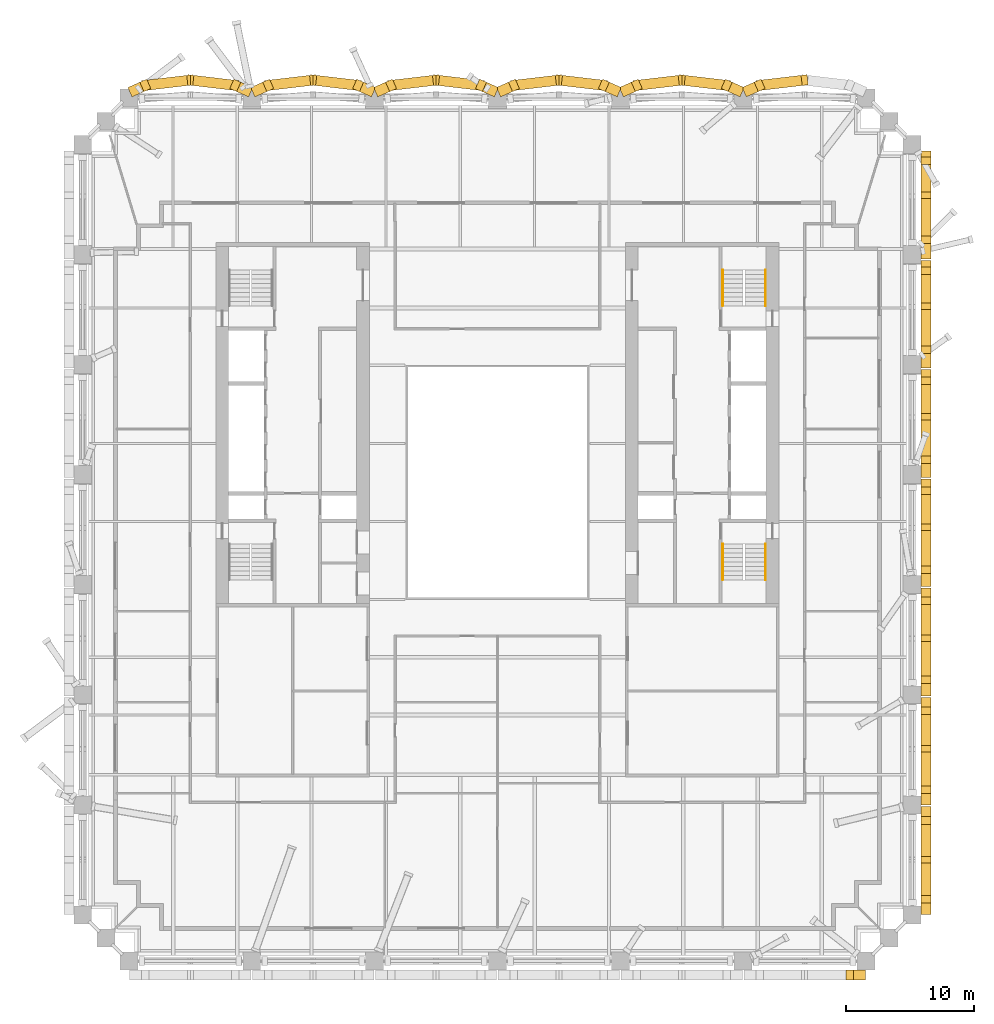
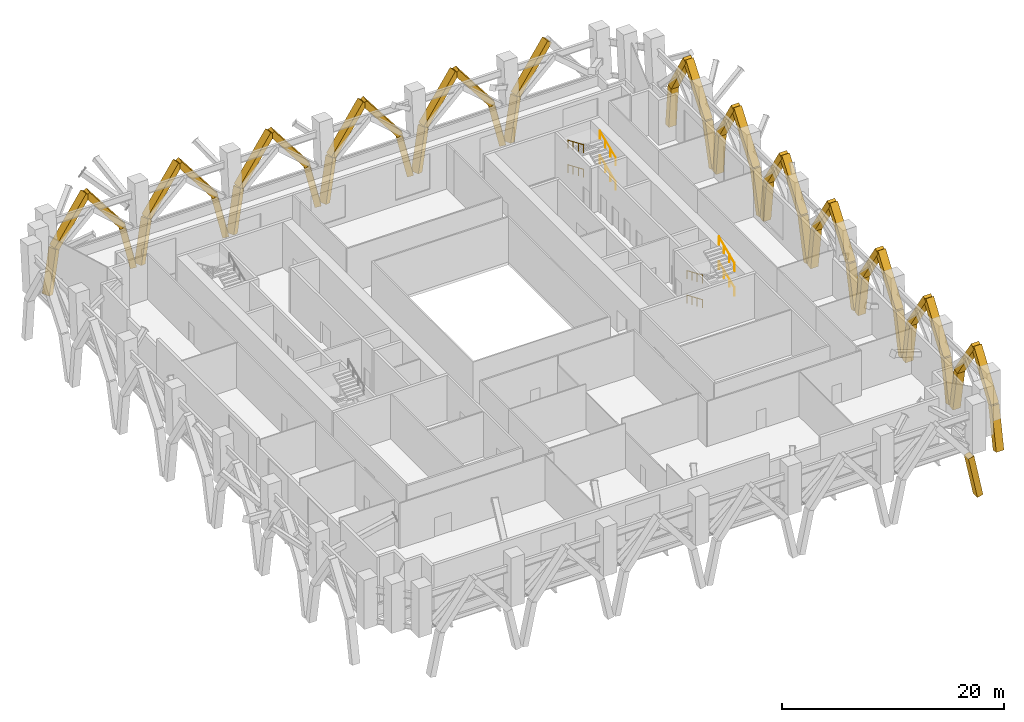
# One storey, part 18 of 19: 51 coverings, 8 railings.
"""IFC4 building model written with IfcOpenShell, lengths in metres."""

from ifc_helpers import new_model, si_unit, direction, frame, origin, origin_2d, place, context, subcontext, project, spatial, rectangle, circle, extrude, material, material_profile, profile_set, type_object, element, save


model = new_model("IFC4")

# Units and contexts
model_context = context("Model", 3, precision=1e-05, world=origin(), true_north=direction((0.0, 1.0)))
body_context = subcontext(model_context, "Body", "Model", "MODEL_VIEW")
ifc_project = project(units=[si_unit("LENGTHUNIT", "METRE"), si_unit("AREAUNIT", "SQUARE_METRE"), si_unit("VOLUMEUNIT", "CUBIC_METRE"), si_unit("PLANEANGLEUNIT", "RADIAN"), si_unit("MASSUNIT", "GRAM", prefix="KILO")], contexts=[model_context])

# Site, building, storey
site_placement = place(None, origin())
site = spatial("IfcSite", under=ifc_project, at=site_placement, CompositionType="ELEMENT")
building_placement = place(site_placement, origin())
building = spatial("IfcBuilding", under=site, at=building_placement, Name="Ogive Exchange Tower", CompositionType="ELEMENT")
storey_placement = place(building_placement, frame((0.0, 0.0, 94.199951171875)))
storey = spatial("IfcBuildingStorey", under=building, at=storey_placement, Name="L20", CompositionType="ELEMENT", Elevation=94.199951171875)

# Coverings
ifc_material_1 = material(Name="Precast concrete C50/60", Category="concrete")
ifc_material_profile = material_profile(ifc_material_1, rectangle(XDim=0.800048828125, YDim=0.60009765625, at=origin_2d()), Name="RIB 800 x 600")
ifc_profile_set = profile_set([ifc_material_profile], Name="Precast concrete C50/60")
covering_type = type_object("IfcCoveringType", Name="Precast tracery rib 800 x 600 C50/60", PredefinedType="CLADDING", material=ifc_profile_set)
covering_1_placement = place(storey_placement, frame((28.449951171875, -31.47998046875, -4.199951171875), z_axis=(-0.201500178347, 0.0, 0.979488477791), x_axis=(0.0, -1.0, 0.0)))
element("IfcCovering", 1, at=covering_1_placement, inside=storey, type_object=covering_type, Name="Tracery rib 6b", PredefinedType="CLADDING", context=body_context, shape_type="SweptSolid", body=[
    extrude(rectangle(XDim=0.800048828125, YDim=0.60009765625, at=origin_2d()), origin(), (0.0, 0.0, 1.0), 4.645263671875),
])
covering_2_placement = place(storey_placement, frame((33.47998046875, -26.449951171875, -4.199951171875), z_axis=(0.0, 0.186150274042, 0.982521284998), x_axis=(-1.0, 0.0, 0.0)))
element("IfcCovering", 2, at=covering_2_placement, inside=storey, type_object=covering_type, Name="Tracery rib 9a", PredefinedType="CLADDING", context=body_context, shape_type="SweptSolid", body=[
    extrude(rectangle(XDim=0.800048828125, YDim=0.60009765625, at=origin_2d()), origin(), (0.0, 0.0, 1.0), 4.631103515625),
])
covering_3_placement = place(storey_placement, frame((33.47998046875, -25.587890625, 0.35009765625), z_axis=(0.0, 0.564634699666, 0.82534093315), x_axis=(-1.0, 0.0, 0.0)))
element("IfcCovering", 3, at=covering_3_placement, inside=storey, type_object=covering_type, Name="Tracery rib 9a", PredefinedType="CLADDING", context=body_context, shape_type="SweptSolid", body=[
    extrude(rectangle(XDim=0.800048828125, YDim=0.60009765625, at=origin_2d()), origin(), (0.0, 0.0, 1.0), 5.512939453125),
])
covering_4_placement = place(storey_placement, frame((33.47998046875, -18.617919921875, -4.199951171875), z_axis=(0.0, -0.173586374449, 0.984818648587), x_axis=(1.0, 0.0, 0.0)))
element("IfcCovering", 4, at=covering_4_placement, inside=storey, type_object=covering_type, Name="Tracery rib 9b", PredefinedType="CLADDING", context=body_context, shape_type="SweptSolid", body=[
    extrude(rectangle(XDim=0.800048828125, YDim=0.60009765625, at=origin_2d()), origin(), (0.0, 0.0, 1.0), 4.6201171875),
])
covering_5_placement = place(storey_placement, frame((33.47998046875, -19.419921875, 0.35009765625), z_axis=(0.0, -0.557452171693, 0.830209055765), x_axis=(1.0, 0.0, 0.0)))
element("IfcCovering", 5, at=covering_5_placement, inside=storey, type_object=covering_type, Name="Tracery rib 9b", PredefinedType="CLADDING", context=body_context, shape_type="SweptSolid", body=[
    extrude(rectangle(XDim=0.800048828125, YDim=0.60009765625, at=origin_2d()), origin(), (0.0, 0.0, 1.0), 5.480712890625),
])
covering_6_placement = place(storey_placement, frame((33.47998046875, -17.91796875, -4.199951171875), z_axis=(0.0, 0.198370934882, 0.980127018398), x_axis=(-1.0, 0.0, 0.0)))
element("IfcCovering", 6, at=covering_6_placement, inside=storey, type_object=covering_type, Name="Tracery rib 10a", PredefinedType="CLADDING", context=body_context, shape_type="SweptSolid", body=[
    extrude(rectangle(XDim=0.800048828125, YDim=0.60009765625, at=origin_2d()), origin(), (0.0, 0.0, 1.0), 4.642333984375),
])
covering_7_placement = place(storey_placement, frame((33.47998046875, -16.9970703125, 0.35009765625), z_axis=(0.0, 0.572017049821, 0.820241729439), x_axis=(-1.0, 0.0, 0.0)))
element("IfcCovering", 7, at=covering_7_placement, inside=storey, type_object=covering_type, Name="Tracery rib 10a", PredefinedType="CLADDING", context=body_context, shape_type="SweptSolid", body=[
    extrude(rectangle(XDim=0.800048828125, YDim=0.60009765625, at=origin_2d()), origin(), (0.0, 0.0, 1.0), 5.547119140625),
])
covering_8_placement = place(storey_placement, frame((33.47998046875, -10.0849609375, -4.199951171875), z_axis=(0.0, -0.161401363477, 0.986888848791), x_axis=(1.0, 0.0, 0.0)))
element("IfcCovering", 8, at=covering_8_placement, inside=storey, type_object=covering_type, Name="Tracery rib 10b", PredefinedType="CLADDING", context=body_context, shape_type="SweptSolid", body=[
    extrude(rectangle(XDim=0.800048828125, YDim=0.60009765625, at=origin_2d()), origin(), (0.0, 0.0, 1.0), 4.610595703125),
])
covering_9_placement = place(storey_placement, frame((33.47998046875, -10.8291015625, 0.35009765625), z_axis=(0.0, -0.549798408464, 0.835297378214), x_axis=(1.0, 0.0, 0.0)))
element("IfcCovering", 9, at=covering_9_placement, inside=storey, type_object=covering_type, Name="Tracery rib 10b", PredefinedType="CLADDING", context=body_context, shape_type="SweptSolid", body=[
    extrude(rectangle(XDim=0.800048828125, YDim=0.60009765625, at=origin_2d()), origin(), (0.0, 0.0, 1.0), 5.447265625),
])
covering_10_placement = place(storey_placement, frame((33.47998046875, -9.385009765625, -4.199951171875), z_axis=(0.0, 0.210549906291, 0.977583110002), x_axis=(-1.0, 0.0, 0.0)))
element("IfcCovering", 10, at=covering_10_placement, inside=storey, type_object=covering_type, Name="Tracery rib 11a", PredefinedType="CLADDING", context=body_context, shape_type="SweptSolid", body=[
    extrude(rectangle(XDim=0.800048828125, YDim=0.60009765625, at=origin_2d()), origin(), (0.0, 0.0, 1.0), 4.654296875),
])
covering_11_placement = place(storey_placement, frame((33.47998046875, -8.405029296875, 0.35009765625), z_axis=(0.0, 0.579088555147, 0.815264647399), x_axis=(-1.0, 0.0, 0.0)))
element("IfcCovering", 11, at=covering_11_placement, inside=storey, type_object=covering_type, Name="Tracery rib 11a", PredefinedType="CLADDING", context=body_context, shape_type="SweptSolid", body=[
    extrude(rectangle(XDim=0.800048828125, YDim=0.60009765625, at=origin_2d()), origin(), (0.0, 0.0, 1.0), 5.5810546875),
])
covering_12_placement = place(storey_placement, frame((33.47998046875, -1.552978515625, -4.199951171875), z_axis=(0.0, -0.148675152872, 0.988886089961), x_axis=(1.0, 0.0, 0.0)))
element("IfcCovering", 12, at=covering_12_placement, inside=storey, type_object=covering_type, Name="Tracery rib 11b", PredefinedType="CLADDING", context=body_context, shape_type="SweptSolid", body=[
    extrude(rectangle(XDim=0.800048828125, YDim=0.60009765625, at=origin_2d()), origin(), (0.0, 0.0, 1.0), 4.60107421875),
])
covering_13_placement = place(storey_placement, frame((33.47998046875, -2.237060546875, 0.35009765625), z_axis=(0.0, -0.542194644932, 0.840252918476), x_axis=(1.0, 0.0, 0.0)))
element("IfcCovering", 13, at=covering_13_placement, inside=storey, type_object=covering_type, Name="Tracery rib 11b", PredefinedType="CLADDING", context=body_context, shape_type="SweptSolid", body=[
    extrude(rectangle(XDim=0.800048828125, YDim=0.60009765625, at=origin_2d()), origin(), (0.0, 0.0, 1.0), 5.4150390625),
])
covering_14_placement = place(storey_placement, frame((33.47998046875, -0.85302734375, -4.199951171875), z_axis=(0.0, 0.222631627307, 0.974902640535), x_axis=(-1.0, 0.0, 0.0)))
element("IfcCovering", 14, at=covering_14_placement, inside=storey, type_object=covering_type, Name="Tracery rib 12a", PredefinedType="CLADDING", context=body_context, shape_type="SweptSolid", body=[
    extrude(rectangle(XDim=0.800048828125, YDim=0.60009765625, at=origin_2d()), origin(), (0.0, 0.0, 1.0), 4.667236328125),
])
covering_15_placement = place(storey_placement, frame((33.47998046875, 0.18603515625, 0.35009765625), z_axis=(0.0, 0.586060274769, 0.810267458521), x_axis=(-1.0, 0.0, 0.0)))
element("IfcCovering", 15, at=covering_15_placement, inside=storey, type_object=covering_type, Name="Tracery rib 12a", PredefinedType="CLADDING", context=body_context, shape_type="SweptSolid", body=[
    extrude(rectangle(XDim=0.800048828125, YDim=0.60009765625, at=origin_2d()), origin(), (0.0, 0.0, 1.0), 5.615478515625),
])
covering_16_placement = place(storey_placement, frame((33.47998046875, 6.97998046875, -4.199951171875), z_axis=(0.0, -0.136083346246, 0.990697392181), x_axis=(1.0, 0.0, 0.0)))
element("IfcCovering", 16, at=covering_16_placement, inside=storey, type_object=covering_type, Name="Tracery rib 12b", PredefinedType="CLADDING", context=body_context, shape_type="SweptSolid", body=[
    extrude(rectangle(XDim=0.800048828125, YDim=0.60009765625, at=origin_2d()), origin(), (0.0, 0.0, 1.0), 4.5927734375),
])
covering_17_placement = place(storey_placement, frame((33.47998046875, 6.35498046875, 0.35009765625), z_axis=(0.0, -0.534552485486, 0.845135279267), x_axis=(1.0, 0.0, 0.0)))
element("IfcCovering", 17, at=covering_17_placement, inside=storey, type_object=covering_type, Name="Tracery rib 12b", PredefinedType="CLADDING", context=body_context, shape_type="SweptSolid", body=[
    extrude(rectangle(XDim=0.800048828125, YDim=0.60009765625, at=origin_2d()), origin(), (0.0, 0.0, 1.0), 5.3837890625),
])
covering_18_placement = place(storey_placement, frame((33.47998046875, 7.679931640625, -4.199951171875), z_axis=(0.0, 0.234611640374, 0.972089182226), x_axis=(-1.0, 0.0, 0.0)))
element("IfcCovering", 18, at=covering_18_placement, inside=storey, type_object=covering_type, Name="Tracery rib 13a", PredefinedType="CLADDING", context=body_context, shape_type="SweptSolid", body=[
    extrude(rectangle(XDim=0.800048828125, YDim=0.60009765625, at=origin_2d()), origin(), (0.0, 0.0, 1.0), 4.6806640625),
])
covering_19_placement = place(storey_placement, frame((33.47998046875, 8.778076171875, 0.35009765625), z_axis=(0.0, 0.592876199846, 0.805293618288), x_axis=(-1.0, 0.0, 0.0)))
element("IfcCovering", 19, at=covering_19_placement, inside=storey, type_object=covering_type, Name="Tracery rib 13a", PredefinedType="CLADDING", context=body_context, shape_type="SweptSolid", body=[
    extrude(rectangle(XDim=0.800048828125, YDim=0.60009765625, at=origin_2d()), origin(), (0.0, 0.0, 1.0), 5.650146484375),
])
covering_20_placement = place(storey_placement, frame((33.47998046875, 15.511962890625, -4.199951171875), z_axis=(0.0, -0.123425244267, 0.992353872909), x_axis=(1.0, 0.0, 0.0)))
element("IfcCovering", 20, at=covering_20_placement, inside=storey, type_object=covering_type, Name="Tracery rib 13b", PredefinedType="CLADDING", context=body_context, shape_type="SweptSolid", body=[
    extrude(rectangle(XDim=0.800048828125, YDim=0.60009765625, at=origin_2d()), origin(), (0.0, 0.0, 1.0), 4.585205078125),
])
covering_21_placement = place(storey_placement, frame((33.47998046875, 14.946044921875, 0.35009765625), z_axis=(0.0, -0.526546188709, 0.850146523345), x_axis=(1.0, 0.0, 0.0)))
element("IfcCovering", 21, at=covering_21_placement, inside=storey, type_object=covering_type, Name="Tracery rib 13b", PredefinedType="CLADDING", context=body_context, shape_type="SweptSolid", body=[
    extrude(rectangle(XDim=0.800048828125, YDim=0.60009765625, at=origin_2d()), origin(), (0.0, 0.0, 1.0), 5.35205078125),
])
covering_22_placement = place(storey_placement, frame((33.47998046875, 16.2119140625, -4.199951171875), z_axis=(0.0, 0.246436861221, 0.9691588484), x_axis=(-1.0, 0.0, 0.0)))
element("IfcCovering", 22, at=covering_22_placement, inside=storey, type_object=covering_type, Name="Tracery rib 14a", PredefinedType="CLADDING", context=body_context, shape_type="SweptSolid", body=[
    extrude(rectangle(XDim=0.800048828125, YDim=0.60009765625, at=origin_2d()), origin(), (0.0, 0.0, 1.0), 4.69482421875),
])
covering_23_placement = place(storey_placement, frame((33.47998046875, 17.368896484375, 0.35009765625), z_axis=(0.0, 0.59973204482, 0.800200896285), x_axis=(-1.0, 0.0, 0.0)))
element("IfcCovering", 23, at=covering_23_placement, inside=storey, type_object=covering_type, Name="Tracery rib 14a", PredefinedType="CLADDING", context=body_context, shape_type="SweptSolid", body=[
    extrude(rectangle(XDim=0.800048828125, YDim=0.60009765625, at=origin_2d()), origin(), (0.0, 0.0, 1.0), 5.68603515625),
])
covering_24_placement = place(storey_placement, frame((33.47998046875, 24.044921875, -4.199951171875), z_axis=(0.0, -0.110706610525, 0.993853131195), x_axis=(1.0, 0.0, 0.0)))
element("IfcCovering", 24, at=covering_24_placement, inside=storey, type_object=covering_type, Name="Tracery rib 14b", PredefinedType="CLADDING", context=body_context, shape_type="SweptSolid", body=[
    extrude(rectangle(XDim=0.800048828125, YDim=0.60009765625, at=origin_2d()), origin(), (0.0, 0.0, 1.0), 4.578125),
])
covering_25_placement = place(storey_placement, frame((33.47998046875, 23.5380859375, 0.35009765625), z_axis=(0.0, -0.518497951116, 0.855078870449), x_axis=(1.0, 0.0, 0.0)))
element("IfcCovering", 25, at=covering_25_placement, inside=storey, type_object=covering_type, Name="Tracery rib 14b", PredefinedType="CLADDING", context=body_context, shape_type="SweptSolid", body=[
    extrude(rectangle(XDim=0.800048828125, YDim=0.60009765625, at=origin_2d()), origin(), (0.0, 0.0, 1.0), 5.3212890625),
])
covering_26_placement = place(storey_placement, frame((33.47998046875, 24.7451171875, -4.199951171875), z_axis=(0.0, 0.258153034575, 0.966104037224), x_axis=(-1.0, 0.0, 0.0)))
element("IfcCovering", 26, at=covering_26_placement, inside=storey, type_object=covering_type, Name="Tracery rib 15a", PredefinedType="CLADDING", context=body_context, shape_type="SweptSolid", body=[
    extrude(rectangle(XDim=0.800048828125, YDim=0.60009765625, at=origin_2d()), origin(), (0.0, 0.0, 1.0), 4.709716796875),
])
covering_27_placement = place(storey_placement, frame((33.47998046875, 25.9609375, 0.35009765625), z_axis=(0.0, 0.60618849371, 0.79532101072), x_axis=(-1.0, 0.0, 0.0)))
element("IfcCovering", 27, at=covering_27_placement, inside=storey, type_object=covering_type, Name="Tracery rib 15a", PredefinedType="CLADDING", context=body_context, shape_type="SweptSolid", body=[
    extrude(rectangle(XDim=0.800048828125, YDim=0.60009765625, at=origin_2d()), origin(), (0.0, 0.0, 1.0), 5.720947265625),
])
covering_28_placement = place(storey_placement, frame((33.47998046875, 32.576904296875, -4.199951171875), z_axis=(0.0, -0.097986240125, 0.995187769592), x_axis=(1.0, 0.0, 0.0)))
element("IfcCovering", 28, at=covering_28_placement, inside=storey, type_object=covering_type, Name="Tracery rib 15b", PredefinedType="CLADDING", context=body_context, shape_type="SweptSolid", body=[
    extrude(rectangle(XDim=0.800048828125, YDim=0.60009765625, at=origin_2d()), origin(), (0.0, 0.0, 1.0), 4.572021484375),
])
covering_29_placement = place(storey_placement, frame((33.47998046875, 32.12890625, 0.35009765625), z_axis=(0.0, -0.510309513922, 0.859990813905), x_axis=(1.0, 0.0, 0.0)))
element("IfcCovering", 29, at=covering_29_placement, inside=storey, type_object=covering_type, Name="Tracery rib 15b", PredefinedType="CLADDING", context=body_context, shape_type="SweptSolid", body=[
    extrude(rectangle(XDim=0.800048828125, YDim=0.60009765625, at=origin_2d()), origin(), (0.0, 0.0, 1.0), 5.290771484375),
])
covering_30_placement = place(storey_placement, frame((19.550048828125, 37.60693359375, -4.199951171875), z_axis=(0.200704449165, 0.08878318878, 0.975620453596), x_axis=(-0.404544379666, 0.914518367711, 0.0)))
element("IfcCovering", 30, at=covering_30_placement, inside=storey, type_object=covering_type, Name="Tracery rib 18b", PredefinedType="CLADDING", context=body_context, shape_type="SweptSolid", body=[
    extrude(rectangle(XDim=0.800048828125, YDim=0.60009765625, at=origin_2d()), origin(), (0.0, 0.0, 1.0), 4.663818359375),
])
covering_31_placement = place(storey_placement, frame((20.486083984375, 38.02099609375, 0.35009765625), z_axis=(0.609647089072, 0.071837800533, 0.789411019179), x_axis=(-0.117025404766, 0.99312892146, 0.0)))
element("IfcCovering", 31, at=covering_31_placement, inside=storey, type_object=covering_type, Name="Tracery rib 18b", PredefinedType="CLADDING", context=body_context, shape_type="SweptSolid", body=[
    extrude(rectangle(XDim=0.800048828125, YDim=0.60009765625, at=origin_2d()), origin(), (0.0, 0.0, 1.0), 5.763916015625),
])
covering_32_placement = place(storey_placement, frame((18.85009765625, 37.60693359375, -4.199951171875), z_axis=(-0.200704449165, 0.08878318878, 0.975620453596), x_axis=(-0.404544379666, -0.914518367711, 0.0)))
element("IfcCovering", 32, at=covering_32_placement, inside=storey, type_object=covering_type, Name="Tracery rib 19a", PredefinedType="CLADDING", context=body_context, shape_type="SweptSolid", body=[
    extrude(rectangle(XDim=0.800048828125, YDim=0.60009765625, at=origin_2d()), origin(), (0.0, 0.0, 1.0), 4.663818359375),
])
covering_33_placement = place(storey_placement, frame((17.9140625, 38.02099609375, 0.35009765625), z_axis=(-0.609673702355, 0.071835945477, 0.789390634347), x_axis=(-0.117017385945, -0.993129866325, 0.0)))
element("IfcCovering", 33, at=covering_33_placement, inside=storey, type_object=covering_type, Name="Tracery rib 19a", PredefinedType="CLADDING", context=body_context, shape_type="SweptSolid", body=[
    extrude(rectangle(XDim=0.800048828125, YDim=0.60009765625, at=origin_2d()), origin(), (0.0, 0.0, 1.0), 5.763916015625),
])
covering_34_placement = place(storey_placement, frame((9.949951171875, 37.60693359375, -4.199951171875), z_axis=(0.200704449165, 0.08878318878, 0.975620453596), x_axis=(-0.404544379666, 0.914518367711, 0.0)))
element("IfcCovering", 34, at=covering_34_placement, inside=storey, type_object=covering_type, Name="Tracery rib 19b", PredefinedType="CLADDING", context=body_context, shape_type="SweptSolid", body=[
    extrude(rectangle(XDim=0.800048828125, YDim=0.60009765625, at=origin_2d()), origin(), (0.0, 0.0, 1.0), 4.663818359375),
])
covering_35_placement = place(storey_placement, frame((10.885986328125, 38.02099609375, 0.35009765625), z_axis=(0.609647089072, 0.071837800533, 0.789411019179), x_axis=(-0.117025404766, 0.99312892146, 0.0)))
element("IfcCovering", 35, at=covering_35_placement, inside=storey, type_object=covering_type, Name="Tracery rib 19b", PredefinedType="CLADDING", context=body_context, shape_type="SweptSolid", body=[
    extrude(rectangle(XDim=0.800048828125, YDim=0.60009765625, at=origin_2d()), origin(), (0.0, 0.0, 1.0), 5.763916015625),
])
covering_36_placement = place(storey_placement, frame((9.25, 37.60693359375, -4.199951171875), z_axis=(-0.200704449165, 0.08878318878, 0.975620453596), x_axis=(-0.404544379666, -0.914518367711, 0.0)))
element("IfcCovering", 36, at=covering_36_placement, inside=storey, type_object=covering_type, Name="Tracery rib 20a", PredefinedType="CLADDING", context=body_context, shape_type="SweptSolid", body=[
    extrude(rectangle(XDim=0.800048828125, YDim=0.60009765625, at=origin_2d()), origin(), (0.0, 0.0, 1.0), 4.663818359375),
])
covering_37_placement = place(storey_placement, frame((8.31396484375, 38.02099609375, 0.35009765625), z_axis=(-0.609647089072, 0.071837800533, 0.789411019179), x_axis=(-0.117025404766, -0.99312892146, 0.0)))
element("IfcCovering", 37, at=covering_37_placement, inside=storey, type_object=covering_type, Name="Tracery rib 20a", PredefinedType="CLADDING", context=body_context, shape_type="SweptSolid", body=[
    extrude(rectangle(XDim=0.800048828125, YDim=0.60009765625, at=origin_2d()), origin(), (0.0, 0.0, 1.0), 5.763916015625),
])
covering_38_placement = place(storey_placement, frame((0.35009765625, 37.60693359375, -4.199951171875), z_axis=(0.200654208515, 0.088784121482, 0.975630702868), x_axis=(-0.404632643828, 0.914479318273, 0.0)))
element("IfcCovering", 38, at=covering_38_placement, inside=storey, type_object=covering_type, Name="Tracery rib 20b", PredefinedType="CLADDING", context=body_context, shape_type="SweptSolid", body=[
    extrude(rectangle(XDim=0.800048828125, YDim=0.60009765625, at=origin_2d()), origin(), (0.0, 0.0, 1.0), 4.663818359375),
])
covering_39_placement = place(storey_placement, frame((1.285888671875, 38.02099609375, 0.35009765625), z_axis=(0.609673702355, 0.071835945477, 0.789390634347), x_axis=(-0.117017385945, 0.993129866325, 0.0)))
element("IfcCovering", 39, at=covering_39_placement, inside=storey, type_object=covering_type, Name="Tracery rib 20b", PredefinedType="CLADDING", context=body_context, shape_type="SweptSolid", body=[
    extrude(rectangle(XDim=0.800048828125, YDim=0.60009765625, at=origin_2d()), origin(), (0.0, 0.0, 1.0), 5.763916015625),
])
covering_40_placement = place(storey_placement, frame((-0.35009765625, 37.60693359375, -4.199951171875), z_axis=(-0.200654208515, 0.088784121482, 0.975630702868), x_axis=(-0.404632643828, -0.914479318273, 0.0)))
element("IfcCovering", 40, at=covering_40_placement, inside=storey, type_object=covering_type, Name="Tracery rib 21a", PredefinedType="CLADDING", context=body_context, shape_type="SweptSolid", body=[
    extrude(rectangle(XDim=0.800048828125, YDim=0.60009765625, at=origin_2d()), origin(), (0.0, 0.0, 1.0), 4.663818359375),
])
covering_41_placement = place(storey_placement, frame((-1.285888671875, 38.02099609375, 0.35009765625), z_axis=(-0.609673702355, 0.071835945477, 0.789390634347), x_axis=(-0.117017385945, -0.993129866325, 0.0)))
element("IfcCovering", 41, at=covering_41_placement, inside=storey, type_object=covering_type, Name="Tracery rib 21a", PredefinedType="CLADDING", context=body_context, shape_type="SweptSolid", body=[
    extrude(rectangle(XDim=0.800048828125, YDim=0.60009765625, at=origin_2d()), origin(), (0.0, 0.0, 1.0), 5.763916015625),
])
covering_42_placement = place(storey_placement, frame((-9.25, 37.60693359375, -4.199951171875), z_axis=(0.200704449165, 0.08878318878, 0.975620453596), x_axis=(-0.404544379666, 0.914518367711, 0.0)))
element("IfcCovering", 42, at=covering_42_placement, inside=storey, type_object=covering_type, Name="Tracery rib 21b", PredefinedType="CLADDING", context=body_context, shape_type="SweptSolid", body=[
    extrude(rectangle(XDim=0.800048828125, YDim=0.60009765625, at=origin_2d()), origin(), (0.0, 0.0, 1.0), 4.663818359375),
])
covering_43_placement = place(storey_placement, frame((-8.31396484375, 38.02099609375, 0.35009765625), z_axis=(0.609647089072, 0.071837800533, 0.789411019179), x_axis=(-0.117025404766, 0.99312892146, 0.0)))
element("IfcCovering", 43, at=covering_43_placement, inside=storey, type_object=covering_type, Name="Tracery rib 21b", PredefinedType="CLADDING", context=body_context, shape_type="SweptSolid", body=[
    extrude(rectangle(XDim=0.800048828125, YDim=0.60009765625, at=origin_2d()), origin(), (0.0, 0.0, 1.0), 5.763916015625),
])
covering_44_placement = place(storey_placement, frame((-9.949951171875, 37.60693359375, -4.199951171875), z_axis=(-0.200704449165, 0.08878318878, 0.975620453596), x_axis=(-0.404544379666, -0.914518367711, 0.0)))
element("IfcCovering", 44, at=covering_44_placement, inside=storey, type_object=covering_type, Name="Tracery rib 22a", PredefinedType="CLADDING", context=body_context, shape_type="SweptSolid", body=[
    extrude(rectangle(XDim=0.800048828125, YDim=0.60009765625, at=origin_2d()), origin(), (0.0, 0.0, 1.0), 4.663818359375),
])
covering_45_placement = place(storey_placement, frame((-10.885986328125, 38.02099609375, 0.35009765625), z_axis=(-0.609647089072, 0.071837800533, 0.789411019179), x_axis=(-0.117025404766, -0.99312892146, 0.0)))
element("IfcCovering", 45, at=covering_45_placement, inside=storey, type_object=covering_type, Name="Tracery rib 22a", PredefinedType="CLADDING", context=body_context, shape_type="SweptSolid", body=[
    extrude(rectangle(XDim=0.800048828125, YDim=0.60009765625, at=origin_2d()), origin(), (0.0, 0.0, 1.0), 5.763916015625),
])
covering_46_placement = place(storey_placement, frame((-18.85009765625, 37.60693359375, -4.199951171875), z_axis=(0.200704449165, 0.08878318878, 0.975620453596), x_axis=(-0.404544379666, 0.914518367711, 0.0)))
element("IfcCovering", 46, at=covering_46_placement, inside=storey, type_object=covering_type, Name="Tracery rib 22b", PredefinedType="CLADDING", context=body_context, shape_type="SweptSolid", body=[
    extrude(rectangle(XDim=0.800048828125, YDim=0.60009765625, at=origin_2d()), origin(), (0.0, 0.0, 1.0), 4.663818359375),
])
covering_47_placement = place(storey_placement, frame((-17.9140625, 38.02099609375, 0.35009765625), z_axis=(0.609673702355, 0.071835945477, 0.789390634347), x_axis=(-0.117017385945, 0.993129866325, 0.0)))
element("IfcCovering", 47, at=covering_47_placement, inside=storey, type_object=covering_type, Name="Tracery rib 22b", PredefinedType="CLADDING", context=body_context, shape_type="SweptSolid", body=[
    extrude(rectangle(XDim=0.800048828125, YDim=0.60009765625, at=origin_2d()), origin(), (0.0, 0.0, 1.0), 5.763916015625),
])
covering_48_placement = place(storey_placement, frame((-19.550048828125, 37.60693359375, -4.199951171875), z_axis=(-0.200704449165, 0.08878318878, 0.975620453596), x_axis=(-0.404544379666, -0.914518367711, 0.0)))
element("IfcCovering", 48, at=covering_48_placement, inside=storey, type_object=covering_type, Name="Tracery rib 23a", PredefinedType="CLADDING", context=body_context, shape_type="SweptSolid", body=[
    extrude(rectangle(XDim=0.800048828125, YDim=0.60009765625, at=origin_2d()), origin(), (0.0, 0.0, 1.0), 4.663818359375),
])
covering_49_placement = place(storey_placement, frame((-20.486083984375, 38.02099609375, 0.35009765625), z_axis=(-0.609647089072, 0.071837800533, 0.789411019179), x_axis=(-0.117025404766, -0.99312892146, 0.0)))
element("IfcCovering", 49, at=covering_49_placement, inside=storey, type_object=covering_type, Name="Tracery rib 23a", PredefinedType="CLADDING", context=body_context, shape_type="SweptSolid", body=[
    extrude(rectangle(XDim=0.800048828125, YDim=0.60009765625, at=origin_2d()), origin(), (0.0, 0.0, 1.0), 5.763916015625),
])
covering_50_placement = place(storey_placement, frame((-28.449951171875, 37.60693359375, -4.199951171875), z_axis=(0.200704449165, 0.08878318878, 0.975620453596), x_axis=(-0.404544379666, 0.914518367711, 0.0)))
element("IfcCovering", 50, at=covering_50_placement, inside=storey, type_object=covering_type, Name="Tracery rib 23b", PredefinedType="CLADDING", context=body_context, shape_type="SweptSolid", body=[
    extrude(rectangle(XDim=0.800048828125, YDim=0.60009765625, at=origin_2d()), origin(), (0.0, 0.0, 1.0), 4.663818359375),
])
covering_51_placement = place(storey_placement, frame((-27.513916015625, 38.02099609375, 0.35009765625), z_axis=(0.609647089072, 0.071837800533, 0.789411019179), x_axis=(-0.117025404766, 0.99312892146, 0.0)))
element("IfcCovering", 51, at=covering_51_placement, inside=storey, type_object=covering_type, Name="Tracery rib 23b", PredefinedType="CLADDING", context=body_context, shape_type="SweptSolid", body=[
    extrude(rectangle(XDim=0.800048828125, YDim=0.60009765625, at=origin_2d()), origin(), (0.0, 0.0, 1.0), 5.763916015625),
])

# Railings
ifc_material_2 = material(Name="Stainless steel", Category="steel")
railing_type = type_object("IfcRailingType", Name="Stair handrail 900", PredefinedType="HANDRAIL", material=ifc_material_2)
railing_1_placement = place(storey_placement, frame((17.60009765625, 2.199951171875, 0.150146484375)))
element("IfcRailing", 52, at=railing_1_placement, inside=storey, type_object=railing_type, Name="L20 ST3 stair handrail 1", PredefinedType="HANDRAIL", context=body_context, shape_type="SweptSolid", body=[
    extrude(circle(Radius=0.02392578125, at=origin_2d()), frame((0.0, 0.0, 0.8759765625), z_axis=(0.0, -0.919549827119, 0.392973428423), x_axis=(1.0, 0.0, 0.0)), (0.0, 0.0, 1.0), 3.053466796875),
    extrude(circle(Radius=0.02099609375, at=origin_2d()), origin(), (0.0, 0.0, 1.0), 0.851806640625),
    extrude(circle(Radius=0.02099609375, at=origin_2d()), frame((0.0, -0.93603515625, 0.39990234375)), (0.0, 0.0, 1.0), 0.851806640625),
    extrude(circle(Radius=0.02099609375, at=origin_2d()), frame((0.0, -1.871826171875, 0.800048828125)), (0.0, 0.0, 1.0), 0.851806640625),
    extrude(circle(Radius=0.02099609375, at=origin_2d()), frame((0.0, -2.807861328125, 1.199951171875)), (0.0, 0.0, 1.0), 0.851806640625),
])
railing_2_placement = place(storey_placement, frame((20.949951171875, -0.60791015625, 1.5)))
element("IfcRailing", 53, at=railing_2_placement, inside=storey, type_object=railing_type, Name="L20 ST3 stair handrail 2", PredefinedType="HANDRAIL", context=body_context, shape_type="SweptSolid", body=[
    extrude(circle(Radius=0.02392578125, at=origin_2d()), frame((0.0, 0.0, 0.8759765625), z_axis=(0.0, 0.919549827119, 0.392973428423), x_axis=(-1.0, 0.0, 0.0)), (0.0, 0.0, 1.0), 3.053466796875),
    extrude(circle(Radius=0.02099609375, at=origin_2d()), origin(), (0.0, 0.0, 1.0), 0.851806640625),
    extrude(circle(Radius=0.02099609375, at=origin_2d()), frame((0.0, 0.93603515625, 0.39990234375)), (0.0, 0.0, 1.0), 0.851806640625),
    extrude(circle(Radius=0.02099609375, at=origin_2d()), frame((0.0, 1.871826171875, 0.800048828125)), (0.0, 0.0, 1.0), 0.851806640625),
    extrude(circle(Radius=0.02099609375, at=origin_2d()), frame((0.0, 2.807861328125, 1.199951171875)), (0.0, 0.0, 1.0), 0.851806640625),
])
railing_3_placement = place(storey_placement, frame((17.60009765625, 2.199951171875, 2.85009765625)))
element("IfcRailing", 54, at=railing_3_placement, inside=storey, type_object=railing_type, Name="L20 ST3 stair handrail 3", PredefinedType="HANDRAIL", context=body_context, shape_type="SweptSolid", body=[
    extrude(circle(Radius=0.02392578125, at=origin_2d()), frame((0.0, 0.0, 0.8759765625), z_axis=(0.0, -0.919549827119, 0.392973428423), x_axis=(1.0, 0.0, 0.0)), (0.0, 0.0, 1.0), 3.053466796875),
    extrude(circle(Radius=0.02099609375, at=origin_2d()), origin(), (0.0, 0.0, 1.0), 0.851806640625),
    extrude(circle(Radius=0.02099609375, at=origin_2d()), frame((0.0, -0.93603515625, 0.39990234375)), (0.0, 0.0, 1.0), 0.851806640625),
    extrude(circle(Radius=0.02099609375, at=origin_2d()), frame((0.0, -1.871826171875, 0.800048828125)), (0.0, 0.0, 1.0), 0.851806640625),
    extrude(circle(Radius=0.02099609375, at=origin_2d()), frame((0.0, -2.807861328125, 1.199951171875)), (0.0, 0.0, 1.0), 0.851806640625),
])
railing_4_placement = place(storey_placement, frame((20.949951171875, -0.60791015625, 4.199951171875)))
element("IfcRailing", 55, at=railing_4_placement, inside=storey, type_object=railing_type, Name="L20 ST3 stair handrail 4", PredefinedType="HANDRAIL", context=body_context, shape_type="SweptSolid", body=[
    extrude(circle(Radius=0.02392578125, at=origin_2d()), frame((0.0, 0.0, 0.8759765625), z_axis=(0.0, 0.919520933507, 0.393041032008), x_axis=(-1.0, 0.0, 0.0)), (0.0, 0.0, 1.0), 3.0537109375),
    extrude(circle(Radius=0.02099609375, at=origin_2d()), origin(), (0.0, 0.0, 1.0), 0.851806640625),
    extrude(circle(Radius=0.02099609375, at=origin_2d()), frame((0.0, 0.93603515625, 0.400146484375)), (0.0, 0.0, 1.0), 0.851806640625),
    extrude(circle(Radius=0.02099609375, at=origin_2d()), frame((0.0, 1.871826171875, 0.800048828125)), (0.0, 0.0, 1.0), 0.851806640625),
    extrude(circle(Radius=0.02099609375, at=origin_2d()), frame((0.0, 2.807861328125, 1.2001953125)), (0.0, 0.0, 1.0), 0.851806640625),
])
railing_5_placement = place(storey_placement, frame((20.949951171875, 20.800048828125, 0.150146484375)))
element("IfcRailing", 56, at=railing_5_placement, inside=storey, type_object=railing_type, Name="L20 ST4 stair handrail 1", PredefinedType="HANDRAIL", context=body_context, shape_type="SweptSolid", body=[
    extrude(circle(Radius=0.02392578125, at=origin_2d()), frame((0.0, 0.0, 0.8759765625), z_axis=(0.0, 0.919549827119, 0.392973428423), x_axis=(-1.0, 0.0, 0.0)), (0.0, 0.0, 1.0), 3.053466796875),
    extrude(circle(Radius=0.02099609375, at=origin_2d()), origin(), (0.0, 0.0, 1.0), 0.851806640625),
    extrude(circle(Radius=0.02099609375, at=origin_2d()), frame((0.0, 0.93603515625, 0.39990234375)), (0.0, 0.0, 1.0), 0.851806640625),
    extrude(circle(Radius=0.02099609375, at=origin_2d()), frame((0.0, 1.871826171875, 0.800048828125)), (0.0, 0.0, 1.0), 0.851806640625),
    extrude(circle(Radius=0.02099609375, at=origin_2d()), frame((0.0, 2.807861328125, 1.199951171875)), (0.0, 0.0, 1.0), 0.851806640625),
])
railing_6_placement = place(storey_placement, frame((17.60009765625, 23.60791015625, 1.5)))
element("IfcRailing", 57, at=railing_6_placement, inside=storey, type_object=railing_type, Name="L20 ST4 stair handrail 2", PredefinedType="HANDRAIL", context=body_context, shape_type="SweptSolid", body=[
    extrude(circle(Radius=0.02392578125, at=origin_2d()), frame((0.0, 0.0, 0.8759765625), z_axis=(0.0, -0.919549827119, 0.392973428423), x_axis=(1.0, 0.0, 0.0)), (0.0, 0.0, 1.0), 3.053466796875),
    extrude(circle(Radius=0.02099609375, at=origin_2d()), origin(), (0.0, 0.0, 1.0), 0.851806640625),
    extrude(circle(Radius=0.02099609375, at=origin_2d()), frame((0.0, -0.93603515625, 0.39990234375)), (0.0, 0.0, 1.0), 0.851806640625),
    extrude(circle(Radius=0.02099609375, at=origin_2d()), frame((0.0, -1.871826171875, 0.800048828125)), (0.0, 0.0, 1.0), 0.851806640625),
    extrude(circle(Radius=0.02099609375, at=origin_2d()), frame((0.0, -2.807861328125, 1.199951171875)), (0.0, 0.0, 1.0), 0.851806640625),
])
railing_7_placement = place(storey_placement, frame((20.949951171875, 20.800048828125, 2.85009765625)))
element("IfcRailing", 58, at=railing_7_placement, inside=storey, type_object=railing_type, Name="L20 ST4 stair handrail 3", PredefinedType="HANDRAIL", context=body_context, shape_type="SweptSolid", body=[
    extrude(circle(Radius=0.02392578125, at=origin_2d()), frame((0.0, 0.0, 0.8759765625), z_axis=(0.0, 0.919549827119, 0.392973428423), x_axis=(-1.0, 0.0, 0.0)), (0.0, 0.0, 1.0), 3.053466796875),
    extrude(circle(Radius=0.02099609375, at=origin_2d()), origin(), (0.0, 0.0, 1.0), 0.851806640625),
    extrude(circle(Radius=0.02099609375, at=origin_2d()), frame((0.0, 0.93603515625, 0.39990234375)), (0.0, 0.0, 1.0), 0.851806640625),
    extrude(circle(Radius=0.02099609375, at=origin_2d()), frame((0.0, 1.871826171875, 0.800048828125)), (0.0, 0.0, 1.0), 0.851806640625),
    extrude(circle(Radius=0.02099609375, at=origin_2d()), frame((0.0, 2.807861328125, 1.199951171875)), (0.0, 0.0, 1.0), 0.851806640625),
])
railing_8_placement = place(storey_placement, frame((17.60009765625, 23.60791015625, 4.199951171875)))
element("IfcRailing", 59, at=railing_8_placement, inside=storey, type_object=railing_type, Name="L20 ST4 stair handrail 4", PredefinedType="HANDRAIL", context=body_context, shape_type="SweptSolid", body=[
    extrude(circle(Radius=0.02392578125, at=origin_2d()), frame((0.0, 0.0, 0.8759765625), z_axis=(0.0, -0.919520933507, 0.393041032008), x_axis=(1.0, 0.0, 0.0)), (0.0, 0.0, 1.0), 3.0537109375),
    extrude(circle(Radius=0.02099609375, at=origin_2d()), origin(), (0.0, 0.0, 1.0), 0.851806640625),
    extrude(circle(Radius=0.02099609375, at=origin_2d()), frame((0.0, -0.93603515625, 0.400146484375)), (0.0, 0.0, 1.0), 0.851806640625),
    extrude(circle(Radius=0.02099609375, at=origin_2d()), frame((0.0, -1.871826171875, 0.800048828125)), (0.0, 0.0, 1.0), 0.851806640625),
    extrude(circle(Radius=0.02099609375, at=origin_2d()), frame((0.0, -2.807861328125, 1.2001953125)), (0.0, 0.0, 1.0), 0.851806640625),
])

save(model, "model.ifc")
